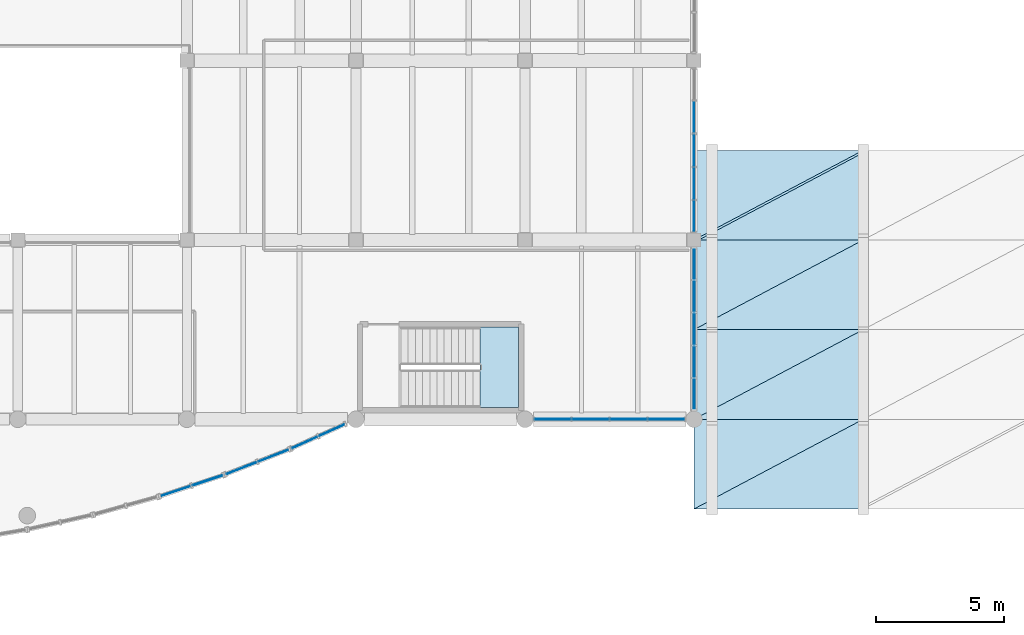
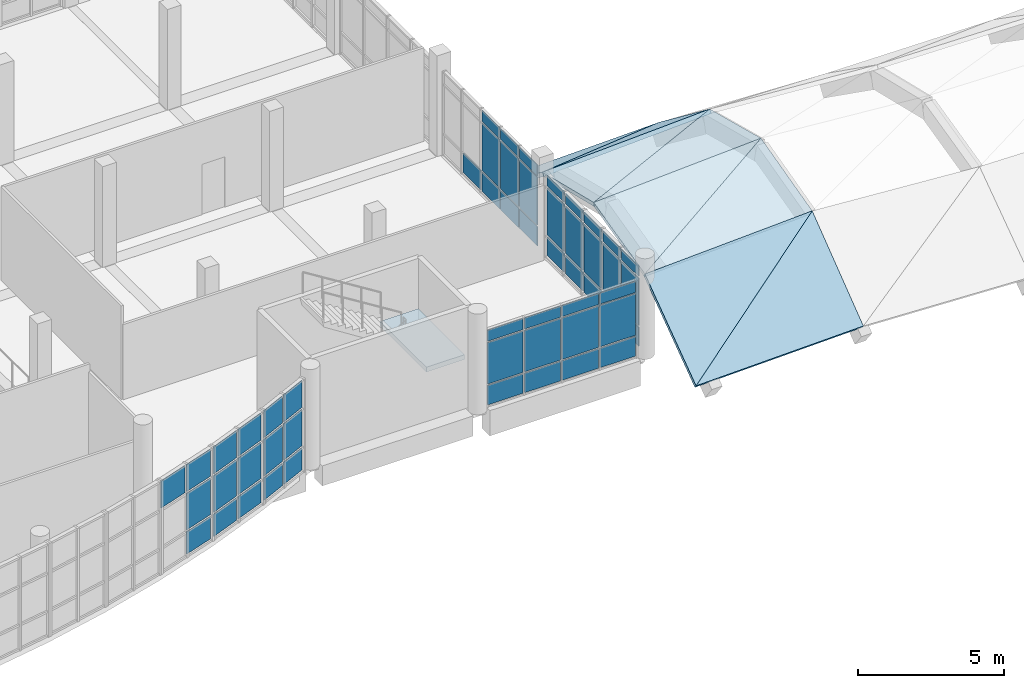
# One storey, part 38 of 65: 53 plates, 9 slabs, 8 elements without a shape of their own.
"""IFC4 building model written with IfcOpenShell, lengths in metres."""

from ifc_helpers import new_model, si_unit, direction, frame, origin, origin_2d, place, context, subcontext, project, spatial, polyline, rectangle, outline, extrude, material, layer, layer_set, type_object, element, aggregate, save


model = new_model("IFC4")

# Units and contexts
model_context = context("Model", 3, precision=1e-05, world=origin(), true_north=direction((0.0, 1.0)))
body_context = subcontext(model_context, "Body", "Model", "MODEL_VIEW")
ifc_project = project(units=[si_unit("LENGTHUNIT", "METRE"), si_unit("AREAUNIT", "SQUARE_METRE"), si_unit("VOLUMEUNIT", "CUBIC_METRE"), si_unit("PLANEANGLEUNIT", "RADIAN"), si_unit("MASSUNIT", "GRAM", prefix="KILO")], contexts=[model_context])

# Site, building, storey
site_placement = place(None, origin())
site = spatial("IfcSite", under=ifc_project, at=site_placement, CompositionType="ELEMENT")
building_placement = place(site_placement, origin())
building = spatial("IfcBuilding", under=site, at=building_placement, Name="Ciguamira Faculty of Natural Sciences", CompositionType="ELEMENT")
storey_placement = place(building_placement, frame((0.0, 0.0, 12.60009765625)))
storey = spatial("IfcBuildingStorey", under=building, at=storey_placement, Name="L03", CompositionType="ELEMENT", Elevation=12.60009765625)

# Curtain wall, plates
ifc_material_1 = material(Name="Anodized aluminium curtain wall", Category="aluminium")
curtain_wall_type_1 = type_object("IfcCurtainWallType", Name="CurtainWall_CW-07", PredefinedType="USERDEFINED", material=ifc_material_1)
curtain_wall_1_placement = place(storey_placement, origin())
curtain_wall_1 = element("IfcCurtainWall", 1, at=curtain_wall_1_placement, inside=storey, type_object=curtain_wall_type_1, Name="L03 unitised curtain wall 0103", ObjectType="UNITISED CURTAIN WALL", PredefinedType="USERDEFINED")
ifc_material_2 = material(Name="Low-E laminated solar glass", Category="glass")
ifc_layer_1 = layer(ifc_material_2, 0.028076171875, Name="Low-E laminated solar glass")
ifc_layer_set_1 = layer_set([ifc_layer_1], Name="Low-E laminated solar glass")
plate_type_1 = type_object("IfcPlateType", Name="CWPanel_CWP-01", PredefinedType="CURTAIN_PANEL", material=ifc_layer_set_1)
plate_1_placement = place(storey_placement, frame((123.300048828125, 17.93505859375, 0.059814453125), z_axis=(0.0, 0.0, 1.0), x_axis=(0.0, 1.0, 0.0)))
plate_1 = element("IfcPlate", 2, at=plate_1_placement, type_object=plate_type_1, Name="CW-07 panel 1.1", PredefinedType="CURTAIN_PANEL", context=body_context, shape_type="SweptSolid", body=[
    extrude(rectangle(XDim=1.199951171875, YDim=0.028076171875, at=origin_2d()), origin(), (0.0, 0.0, 1.0), 0.81005859375),
])
plate_2_placement = place(storey_placement, frame((123.300048828125, 17.93505859375, 0.929931640625), z_axis=(0.0, 0.0, 1.0), x_axis=(0.0, 1.0, 0.0)))
plate_2 = element("IfcPlate", 3, at=plate_2_placement, type_object=plate_type_1, Name="CW-07 panel 1.2", PredefinedType="CURTAIN_PANEL", context=body_context, shape_type="SweptSolid", body=[
    extrude(rectangle(XDim=1.199951171875, YDim=0.028076171875, at=origin_2d()), origin(), (0.0, 0.0, 1.0), 1.9951171875),
])
plate_3_placement = place(storey_placement, frame((123.300048828125, 17.93505859375, 2.98486328125), z_axis=(0.0, 0.0, 1.0), x_axis=(0.0, 1.0, 0.0)))
plate_3 = element("IfcPlate", 4, at=plate_3_placement, type_object=plate_type_1, Name="CW-07 panel 1.3", PredefinedType="CURTAIN_PANEL", context=body_context, shape_type="SweptSolid", body=[
    extrude(rectangle(XDim=1.199951171875, YDim=0.028076171875, at=origin_2d()), origin(), (0.0, 0.0, 1.0), 0.4599609375),
])
plate_4_placement = place(storey_placement, frame((123.300048828125, 19.2099609375, 0.059814453125), z_axis=(0.0, 0.0, 1.0), x_axis=(0.0, 1.0, 0.0)))
plate_4 = element("IfcPlate", 5, at=plate_4_placement, type_object=plate_type_1, Name="CW-07 panel 2.1", PredefinedType="CURTAIN_PANEL", context=body_context, shape_type="SweptSolid", body=[
    extrude(rectangle(XDim=1.22998046875, YDim=0.028076171875, at=origin_2d()), origin(), (0.0, 0.0, 1.0), 0.81005859375),
])
plate_5_placement = place(storey_placement, frame((123.300048828125, 19.2099609375, 0.929931640625), z_axis=(0.0, 0.0, 1.0), x_axis=(0.0, 1.0, 0.0)))
plate_5 = element("IfcPlate", 6, at=plate_5_placement, type_object=plate_type_1, Name="CW-07 panel 2.2", PredefinedType="CURTAIN_PANEL", context=body_context, shape_type="SweptSolid", body=[
    extrude(rectangle(XDim=1.22998046875, YDim=0.028076171875, at=origin_2d()), origin(), (0.0, 0.0, 1.0), 1.9951171875),
])
plate_6_placement = place(storey_placement, frame((123.300048828125, 19.2099609375, 2.98486328125), z_axis=(0.0, 0.0, 1.0), x_axis=(0.0, 1.0, 0.0)))
plate_6 = element("IfcPlate", 7, at=plate_6_placement, type_object=plate_type_1, Name="CW-07 panel 2.3", PredefinedType="CURTAIN_PANEL", context=body_context, shape_type="SweptSolid", body=[
    extrude(rectangle(XDim=1.22998046875, YDim=0.028076171875, at=origin_2d()), origin(), (0.0, 0.0, 1.0), 0.4599609375),
])
plate_7_placement = place(storey_placement, frame((123.300048828125, 20.5, 0.059814453125), z_axis=(0.0, 0.0, 1.0), x_axis=(0.0, 1.0, 0.0)))
plate_7 = element("IfcPlate", 8, at=plate_7_placement, type_object=plate_type_1, Name="CW-07 panel 3.1", PredefinedType="CURTAIN_PANEL", context=body_context, shape_type="SweptSolid", body=[
    extrude(rectangle(XDim=1.22998046875, YDim=0.028076171875, at=origin_2d()), origin(), (0.0, 0.0, 1.0), 0.81005859375),
])
plate_8_placement = place(storey_placement, frame((123.300048828125, 20.5, 0.929931640625), z_axis=(0.0, 0.0, 1.0), x_axis=(0.0, 1.0, 0.0)))
plate_8 = element("IfcPlate", 9, at=plate_8_placement, type_object=plate_type_1, Name="CW-07 panel 3.2", PredefinedType="CURTAIN_PANEL", context=body_context, shape_type="SweptSolid", body=[
    extrude(rectangle(XDim=1.22998046875, YDim=0.028076171875, at=origin_2d()), origin(), (0.0, 0.0, 1.0), 1.9951171875),
])
plate_9_placement = place(storey_placement, frame((123.300048828125, 20.5, 2.98486328125), z_axis=(0.0, 0.0, 1.0), x_axis=(0.0, 1.0, 0.0)))
plate_9 = element("IfcPlate", 10, at=plate_9_placement, type_object=plate_type_1, Name="CW-07 panel 3.3", PredefinedType="CURTAIN_PANEL", context=body_context, shape_type="SweptSolid", body=[
    extrude(rectangle(XDim=1.22998046875, YDim=0.028076171875, at=origin_2d()), origin(), (0.0, 0.0, 1.0), 0.4599609375),
])
plate_10_placement = place(storey_placement, frame((123.300048828125, 21.7900390625, 0.059814453125), z_axis=(0.0, 0.0, 1.0), x_axis=(0.0, 1.0, 0.0)))
plate_10 = element("IfcPlate", 11, at=plate_10_placement, type_object=plate_type_1, Name="CW-07 panel 4.1", PredefinedType="CURTAIN_PANEL", context=body_context, shape_type="SweptSolid", body=[
    extrude(rectangle(XDim=1.22998046875, YDim=0.028076171875, at=origin_2d()), origin(), (0.0, 0.0, 1.0), 0.81005859375),
])
aggregate(curtain_wall_1, [plate_1, plate_2, plate_3, plate_4, plate_5, plate_6, plate_7, plate_8, plate_9, plate_10])

curtain_wall_type_2 = type_object("IfcCurtainWallType", Name="CurtainWall_CW-03", PredefinedType="USERDEFINED", material=ifc_material_1)
curtain_wall_2_placement = place(storey_placement, origin())
curtain_wall_2 = element("IfcCurtainWall", 12, at=curtain_wall_2_placement, inside=storey, type_object=curtain_wall_type_2, Name="L03 south gallery curved curtain wall 16", ObjectType="UNITISED CURTAIN WALL", PredefinedType="USERDEFINED")
plate_11_placement = place(storey_placement, frame((103.060546875, 7.194580078125, 2.68994140625), z_axis=(0.0, 0.0, 1.0), x_axis=(0.948735033862, 0.316072516242, 0.0)))
plate_11 = element("IfcPlate", 13, at=plate_11_placement, type_object=plate_type_1, Name="CW-03 panel 1.3", PredefinedType="CURTAIN_PANEL", context=body_context, shape_type="SweptSolid", body=[
    extrude(rectangle(XDim=1.232666015625, YDim=0.028076171875, at=origin_2d()), origin(), (0.0, 0.0, 1.0), 1.1298828125),
])
plate_12_placement = place(storey_placement, frame((104.30615234375, 7.609619140625, 0.080078125), z_axis=(0.0, 0.0, 1.0), x_axis=(0.948735033862, 0.316072516242, 0.0)))
plate_12 = element("IfcPlate", 14, at=plate_12_placement, type_object=plate_type_1, Name="CW-03 panel 2.1", PredefinedType="CURTAIN_PANEL", context=body_context, shape_type="SweptSolid", body=[
    extrude(rectangle(XDim=1.232666015625, YDim=0.028076171875, at=origin_2d()), origin(), (0.0, 0.0, 1.0), 0.929931640625),
])
plate_13_placement = place(storey_placement, frame((104.30615234375, 7.609619140625, 1.08984375), z_axis=(0.0, 0.0, 1.0), x_axis=(0.948735033862, 0.316072516242, 0.0)))
plate_13 = element("IfcPlate", 15, at=plate_13_placement, type_object=plate_type_1, Name="CW-03 panel 2.2", PredefinedType="CURTAIN_PANEL", context=body_context, shape_type="SweptSolid", body=[
    extrude(rectangle(XDim=1.232666015625, YDim=0.028076171875, at=origin_2d()), origin(), (0.0, 0.0, 1.0), 1.52001953125),
])
plate_14_placement = place(storey_placement, frame((104.30615234375, 7.609619140625, 2.68994140625), z_axis=(0.0, 0.0, 1.0), x_axis=(0.948735033862, 0.316072516242, 0.0)))
plate_14 = element("IfcPlate", 16, at=plate_14_placement, type_object=plate_type_1, Name="CW-03 panel 2.3", PredefinedType="CURTAIN_PANEL", context=body_context, shape_type="SweptSolid", body=[
    extrude(rectangle(XDim=1.232666015625, YDim=0.028076171875, at=origin_2d()), origin(), (0.0, 0.0, 1.0), 1.1298828125),
])
aggregate(curtain_wall_2, [plate_11, plate_12, plate_13, plate_14])

curtain_wall_type_3 = type_object("IfcCurtainWallType", Name="CurtainWall_CW-04", PredefinedType="USERDEFINED", material=ifc_material_1)
curtain_wall_3_placement = place(storey_placement, origin())
curtain_wall_3 = element("IfcCurtainWall", 17, at=curtain_wall_3_placement, inside=storey, type_object=curtain_wall_type_3, Name="L03 south gallery curved curtain wall 17", ObjectType="UNITISED CURTAIN WALL", PredefinedType="USERDEFINED")
plate_15_placement = place(storey_placement, frame((105.626953125, 8.088134765625, 0.080078125), z_axis=(0.0, 0.0, 1.0), x_axis=(0.931122296337, 0.36470710065, 0.0)))
plate_15 = element("IfcPlate", 18, at=plate_15_placement, type_object=plate_type_1, Name="CW-04 panel 1.1", PredefinedType="CURTAIN_PANEL", context=body_context, shape_type="SweptSolid", body=[
    extrude(rectangle(XDim=1.25830078125, YDim=0.028076171875, at=origin_2d()), origin(), (0.0, 0.0, 1.0), 0.929931640625),
])
plate_16_placement = place(storey_placement, frame((105.626953125, 8.088134765625, 1.08984375), z_axis=(0.0, 0.0, 1.0), x_axis=(0.931122296337, 0.36470710065, 0.0)))
plate_16 = element("IfcPlate", 19, at=plate_16_placement, type_object=plate_type_1, Name="CW-04 panel 1.2", PredefinedType="CURTAIN_PANEL", context=body_context, shape_type="SweptSolid", body=[
    extrude(rectangle(XDim=1.25830078125, YDim=0.028076171875, at=origin_2d()), origin(), (0.0, 0.0, 1.0), 1.52001953125),
])
plate_17_placement = place(storey_placement, frame((105.626953125, 8.088134765625, 2.68994140625), z_axis=(0.0, 0.0, 1.0), x_axis=(0.931122296337, 0.36470710065, 0.0)))
plate_17 = element("IfcPlate", 20, at=plate_17_placement, type_object=plate_type_1, Name="CW-04 panel 1.3", PredefinedType="CURTAIN_PANEL", context=body_context, shape_type="SweptSolid", body=[
    extrude(rectangle(XDim=1.25830078125, YDim=0.028076171875, at=origin_2d()), origin(), (0.0, 0.0, 1.0), 1.1298828125),
])
plate_18_placement = place(storey_placement, frame((106.873046875, 8.576171875, 0.080078125), z_axis=(0.0, 0.0, 1.0), x_axis=(0.931122296337, 0.36470710065, 0.0)))
plate_18 = element("IfcPlate", 21, at=plate_18_placement, type_object=plate_type_1, Name="CW-04 panel 2.1", PredefinedType="CURTAIN_PANEL", context=body_context, shape_type="SweptSolid", body=[
    extrude(rectangle(XDim=1.25830078125, YDim=0.028076171875, at=origin_2d()), origin(), (0.0, 0.0, 1.0), 0.929931640625),
])
plate_19_placement = place(storey_placement, frame((106.873046875, 8.576171875, 1.08984375), z_axis=(0.0, 0.0, 1.0), x_axis=(0.931122296337, 0.36470710065, 0.0)))
plate_19 = element("IfcPlate", 22, at=plate_19_placement, type_object=plate_type_1, Name="CW-04 panel 2.2", PredefinedType="CURTAIN_PANEL", context=body_context, shape_type="SweptSolid", body=[
    extrude(rectangle(XDim=1.25830078125, YDim=0.028076171875, at=origin_2d()), origin(), (0.0, 0.0, 1.0), 1.52001953125),
])
plate_20_placement = place(storey_placement, frame((106.873046875, 8.576171875, 2.68994140625), z_axis=(0.0, 0.0, 1.0), x_axis=(0.931122296337, 0.36470710065, 0.0)))
plate_20 = element("IfcPlate", 23, at=plate_20_placement, type_object=plate_type_1, Name="CW-04 panel 2.3", PredefinedType="CURTAIN_PANEL", context=body_context, shape_type="SweptSolid", body=[
    extrude(rectangle(XDim=1.25830078125, YDim=0.028076171875, at=origin_2d()), origin(), (0.0, 0.0, 1.0), 1.1298828125),
])
aggregate(curtain_wall_3, [plate_15, plate_16, plate_17, plate_18, plate_19, plate_20])

curtain_wall_type_4 = type_object("IfcCurtainWallType", Name="CurtainWall_CW-05", PredefinedType="USERDEFINED", material=ifc_material_1)
curtain_wall_4_placement = place(storey_placement, origin())
curtain_wall_4 = element("IfcCurtainWall", 24, at=curtain_wall_4_placement, inside=storey, type_object=curtain_wall_type_4, Name="L03 south gallery curved curtain wall 18", ObjectType="UNITISED CURTAIN WALL", PredefinedType="USERDEFINED")
plate_21_placement = place(storey_placement, frame((108.09765625, 9.091064453125, 0.080078125), z_axis=(0.0, 0.0, 1.0), x_axis=(0.910580503774, 0.41333176281, 0.0)))
plate_21 = element("IfcPlate", 25, at=plate_21_placement, type_object=plate_type_1, Name="CW-05 panel 1.1", PredefinedType="CURTAIN_PANEL", context=body_context, shape_type="SweptSolid", body=[
    extrude(rectangle(XDim=1.079345703125, YDim=0.028076171875, at=origin_2d()), origin(), (0.0, 0.0, 1.0), 0.929931640625),
])
plate_22_placement = place(storey_placement, frame((108.09765625, 9.091064453125, 1.08984375), z_axis=(0.0, 0.0, 1.0), x_axis=(0.910580503774, 0.41333176281, 0.0)))
plate_22 = element("IfcPlate", 26, at=plate_22_placement, type_object=plate_type_1, Name="CW-05 panel 1.2", PredefinedType="CURTAIN_PANEL", context=body_context, shape_type="SweptSolid", body=[
    extrude(rectangle(XDim=1.079345703125, YDim=0.028076171875, at=origin_2d()), origin(), (0.0, 0.0, 1.0), 1.52001953125),
])
plate_23_placement = place(storey_placement, frame((108.09765625, 9.091064453125, 2.68994140625), z_axis=(0.0, 0.0, 1.0), x_axis=(0.910580503774, 0.41333176281, 0.0)))
plate_23 = element("IfcPlate", 27, at=plate_23_placement, type_object=plate_type_1, Name="CW-05 panel 1.3", PredefinedType="CURTAIN_PANEL", context=body_context, shape_type="SweptSolid", body=[
    extrude(rectangle(XDim=1.079345703125, YDim=0.028076171875, at=origin_2d()), origin(), (0.0, 0.0, 1.0), 1.1298828125),
])
plate_24_placement = place(storey_placement, frame((109.1533203125, 9.5703125, 0.080078125), z_axis=(0.0, 0.0, 1.0), x_axis=(0.910580503774, 0.41333176281, 0.0)))
plate_24 = element("IfcPlate", 28, at=plate_24_placement, type_object=plate_type_1, Name="CW-05 panel 2.1", PredefinedType="CURTAIN_PANEL", context=body_context, shape_type="SweptSolid", body=[
    extrude(rectangle(XDim=1.079345703125, YDim=0.028076171875, at=origin_2d()), origin(), (0.0, 0.0, 1.0), 0.929931640625),
])
plate_25_placement = place(storey_placement, frame((109.1533203125, 9.5703125, 1.08984375), z_axis=(0.0, 0.0, 1.0), x_axis=(0.910580503774, 0.41333176281, 0.0)))
plate_25 = element("IfcPlate", 29, at=plate_25_placement, type_object=plate_type_1, Name="CW-05 panel 2.2", PredefinedType="CURTAIN_PANEL", context=body_context, shape_type="SweptSolid", body=[
    extrude(rectangle(XDim=1.079345703125, YDim=0.028076171875, at=origin_2d()), origin(), (0.0, 0.0, 1.0), 1.52001953125),
])
plate_26_placement = place(storey_placement, frame((109.1533203125, 9.5703125, 2.68994140625), z_axis=(0.0, 0.0, 1.0), x_axis=(0.910580503774, 0.41333176281, 0.0)))
plate_26 = element("IfcPlate", 30, at=plate_26_placement, type_object=plate_type_1, Name="CW-05 panel 2.3", PredefinedType="CURTAIN_PANEL", context=body_context, shape_type="SweptSolid", body=[
    extrude(rectangle(XDim=1.079345703125, YDim=0.028076171875, at=origin_2d()), origin(), (0.0, 0.0, 1.0), 1.1298828125),
])
aggregate(curtain_wall_4, [plate_21, plate_22, plate_23, plate_24, plate_25, plate_26])

curtain_wall_type_5 = type_object("IfcCurtainWallType", Name="CurtainWall_CW-10", PredefinedType="USERDEFINED", material=ifc_material_1)
curtain_wall_5_placement = place(storey_placement, origin())
curtain_wall_5 = element("IfcCurtainWall", 31, at=curtain_wall_5_placement, inside=storey, type_object=curtain_wall_type_5, Name="L03 unitised curtain wall 0082", ObjectType="UNITISED CURTAIN WALL", PredefinedType="USERDEFINED")
ifc_layer_2 = layer(ifc_material_2, 0.035888671875, Name="Low-E laminated solar glass")
ifc_layer_set_2 = layer_set([ifc_layer_2], Name="Low-E laminated solar glass")
plate_type_2 = type_object("IfcPlateType", Name="CWPanel_CWP-02", PredefinedType="CURTAIN_PANEL", material=ifc_layer_set_2)
plate_27_placement = place(storey_placement, frame((117.78369140625, 10.0, 0.059814453125), z_axis=(0.0, 0.0, 1.0), x_axis=(1.0, 0.0, 0.0)))
plate_27 = element("IfcPlate", 32, at=plate_27_placement, type_object=plate_type_2, Name="CW-10 panel 1.1", PredefinedType="CURTAIN_PANEL", context=body_context, shape_type="SweptSolid", body=[
    extrude(rectangle(XDim=1.3974609375, YDim=0.035888671875, at=origin_2d()), origin(), (0.0, 0.0, 1.0), 0.81005859375),
])
plate_28_placement = place(storey_placement, frame((117.78369140625, 10.0, 0.929931640625), z_axis=(0.0, 0.0, 1.0), x_axis=(1.0, 0.0, 0.0)))
plate_28 = element("IfcPlate", 33, at=plate_28_placement, type_object=plate_type_2, Name="CW-10 panel 1.2", PredefinedType="CURTAIN_PANEL", context=body_context, shape_type="SweptSolid", body=[
    extrude(rectangle(XDim=1.3974609375, YDim=0.035888671875, at=origin_2d()), origin(), (0.0, 0.0, 1.0), 1.72509765625),
])
plate_29_placement = place(storey_placement, frame((117.78369140625, 10.0, 2.71484375), z_axis=(0.0, 0.0, 1.0), x_axis=(1.0, 0.0, 0.0)))
plate_29 = element("IfcPlate", 34, at=plate_29_placement, type_object=plate_type_2, Name="CW-10 panel 1.3", PredefinedType="CURTAIN_PANEL", context=body_context, shape_type="SweptSolid", body=[
    extrude(rectangle(XDim=1.3974609375, YDim=0.035888671875, at=origin_2d()), origin(), (0.0, 0.0, 1.0), 0.4599609375),
])
plate_30_placement = place(storey_placement, frame((119.25634765625, 10.0, 0.059814453125), z_axis=(0.0, 0.0, 1.0), x_axis=(1.0, 0.0, 0.0)))
plate_30 = element("IfcPlate", 35, at=plate_30_placement, type_object=plate_type_2, Name="CW-10 panel 2.1", PredefinedType="CURTAIN_PANEL", context=body_context, shape_type="SweptSolid", body=[
    extrude(rectangle(XDim=1.427490234375, YDim=0.035888671875, at=origin_2d()), origin(), (0.0, 0.0, 1.0), 0.81005859375),
])
plate_31_placement = place(storey_placement, frame((119.25634765625, 10.0, 0.929931640625), z_axis=(0.0, 0.0, 1.0), x_axis=(1.0, 0.0, 0.0)))
plate_31 = element("IfcPlate", 36, at=plate_31_placement, type_object=plate_type_2, Name="CW-10 panel 2.2", PredefinedType="CURTAIN_PANEL", context=body_context, shape_type="SweptSolid", body=[
    extrude(rectangle(XDim=1.427490234375, YDim=0.035888671875, at=origin_2d()), origin(), (0.0, 0.0, 1.0), 1.72509765625),
])
plate_32_placement = place(storey_placement, frame((119.25634765625, 10.0, 2.71484375), z_axis=(0.0, 0.0, 1.0), x_axis=(1.0, 0.0, 0.0)))
plate_32 = element("IfcPlate", 37, at=plate_32_placement, type_object=plate_type_2, Name="CW-10 panel 2.3", PredefinedType="CURTAIN_PANEL", context=body_context, shape_type="SweptSolid", body=[
    extrude(rectangle(XDim=1.427490234375, YDim=0.035888671875, at=origin_2d()), origin(), (0.0, 0.0, 1.0), 0.4599609375),
])
plate_33_placement = place(storey_placement, frame((120.74365234375, 10.0, 0.059814453125), z_axis=(0.0, 0.0, 1.0), x_axis=(1.0, 0.0, 0.0)))
plate_33 = element("IfcPlate", 38, at=plate_33_placement, type_object=plate_type_2, Name="CW-10 panel 3.1", PredefinedType="CURTAIN_PANEL", context=body_context, shape_type="SweptSolid", body=[
    extrude(rectangle(XDim=1.427490234375, YDim=0.035888671875, at=origin_2d()), origin(), (0.0, 0.0, 1.0), 0.81005859375),
])
plate_34_placement = place(storey_placement, frame((120.74365234375, 10.0, 0.929931640625), z_axis=(0.0, 0.0, 1.0), x_axis=(1.0, 0.0, 0.0)))
plate_34 = element("IfcPlate", 39, at=plate_34_placement, type_object=plate_type_2, Name="CW-10 panel 3.2", PredefinedType="CURTAIN_PANEL", context=body_context, shape_type="SweptSolid", body=[
    extrude(rectangle(XDim=1.427490234375, YDim=0.035888671875, at=origin_2d()), origin(), (0.0, 0.0, 1.0), 1.72509765625),
])
plate_35_placement = place(storey_placement, frame((120.74365234375, 10.0, 2.71484375), z_axis=(0.0, 0.0, 1.0), x_axis=(1.0, 0.0, 0.0)))
plate_35 = element("IfcPlate", 40, at=plate_35_placement, type_object=plate_type_2, Name="CW-10 panel 3.3", PredefinedType="CURTAIN_PANEL", context=body_context, shape_type="SweptSolid", body=[
    extrude(rectangle(XDim=1.427490234375, YDim=0.035888671875, at=origin_2d()), origin(), (0.0, 0.0, 1.0), 0.4599609375),
])
plate_36_placement = place(storey_placement, frame((122.21630859375, 10.0, 0.059814453125), z_axis=(0.0, 0.0, 1.0), x_axis=(1.0, 0.0, 0.0)))
plate_36 = element("IfcPlate", 41, at=plate_36_placement, type_object=plate_type_2, Name="CW-10 panel 4.1", PredefinedType="CURTAIN_PANEL", context=body_context, shape_type="SweptSolid", body=[
    extrude(rectangle(XDim=1.3974609375, YDim=0.035888671875, at=origin_2d()), origin(), (0.0, 0.0, 1.0), 0.81005859375),
])
plate_37_placement = place(storey_placement, frame((122.21630859375, 10.0, 0.929931640625), z_axis=(0.0, 0.0, 1.0), x_axis=(1.0, 0.0, 0.0)))
plate_37 = element("IfcPlate", 42, at=plate_37_placement, type_object=plate_type_2, Name="CW-10 panel 4.2", PredefinedType="CURTAIN_PANEL", context=body_context, shape_type="SweptSolid", body=[
    extrude(rectangle(XDim=1.3974609375, YDim=0.035888671875, at=origin_2d()), origin(), (0.0, 0.0, 1.0), 1.72509765625),
])
plate_38_placement = place(storey_placement, frame((122.21630859375, 10.0, 2.71484375), z_axis=(0.0, 0.0, 1.0), x_axis=(1.0, 0.0, 0.0)))
plate_38 = element("IfcPlate", 43, at=plate_38_placement, type_object=plate_type_2, Name="CW-10 panel 4.3", PredefinedType="CURTAIN_PANEL", context=body_context, shape_type="SweptSolid", body=[
    extrude(rectangle(XDim=1.3974609375, YDim=0.035888671875, at=origin_2d()), origin(), (0.0, 0.0, 1.0), 0.4599609375),
])
aggregate(curtain_wall_5, [plate_27, plate_28, plate_29, plate_30, plate_31, plate_32, plate_33, plate_34, plate_35, plate_36, plate_37, plate_38])

curtain_wall_type_6 = type_object("IfcCurtainWallType", Name="CurtainWall_CW-06", PredefinedType="USERDEFINED", material=ifc_material_1)
curtain_wall_6_placement = place(storey_placement, origin())
curtain_wall_6 = element("IfcCurtainWall", 44, at=curtain_wall_6_placement, inside=storey, type_object=curtain_wall_type_6, Name="L03 unitised curtain wall 0102", ObjectType="UNITISED CURTAIN WALL", PredefinedType="USERDEFINED")
plate_39_placement = place(storey_placement, frame((123.300048828125, 10.985107421875, 0.080078125), z_axis=(0.0, 0.0, 1.0), x_axis=(0.0, 1.0, 0.0)))
plate_39 = element("IfcPlate", 45, at=plate_39_placement, type_object=plate_type_2, Name="CW-06 panel 1.1", PredefinedType="CURTAIN_PANEL", context=body_context, shape_type="SweptSolid", body=[
    extrude(rectangle(XDim=1.159912109375, YDim=0.035888671875, at=origin_2d()), origin(), (0.0, 0.0, 1.0), 0.780029296875),
])
plate_40_placement = place(storey_placement, frame((123.300048828125, 10.985107421875, 0.93994140625), z_axis=(0.0, 0.0, 1.0), x_axis=(0.0, 1.0, 0.0)))
plate_40 = element("IfcPlate", 46, at=plate_40_placement, type_object=plate_type_2, Name="CW-06 panel 1.2", PredefinedType="CURTAIN_PANEL", context=body_context, shape_type="SweptSolid", body=[
    extrude(rectangle(XDim=1.159912109375, YDim=0.035888671875, at=origin_2d()), origin(), (0.0, 0.0, 1.0), 1.97509765625),
])
plate_41_placement = place(storey_placement, frame((123.300048828125, 10.985107421875, 2.9951171875), z_axis=(0.0, 0.0, 1.0), x_axis=(0.0, 1.0, 0.0)))
plate_41 = element("IfcPlate", 47, at=plate_41_placement, type_object=plate_type_2, Name="CW-06 panel 1.3", PredefinedType="CURTAIN_PANEL", context=body_context, shape_type="SweptSolid", body=[
    extrude(rectangle(XDim=1.159912109375, YDim=0.035888671875, at=origin_2d()), origin(), (0.0, 0.0, 1.0), 0.429931640625),
])
plate_42_placement = place(storey_placement, frame((123.300048828125, 12.2451171875, 0.080078125), z_axis=(0.0, 0.0, 1.0), x_axis=(0.0, 1.0, 0.0)))
plate_42 = element("IfcPlate", 48, at=plate_42_placement, type_object=plate_type_2, Name="CW-06 panel 2.1", PredefinedType="CURTAIN_PANEL", context=body_context, shape_type="SweptSolid", body=[
    extrude(rectangle(XDim=1.199951171875, YDim=0.035888671875, at=origin_2d()), origin(), (0.0, 0.0, 1.0), 0.780029296875),
])
plate_43_placement = place(storey_placement, frame((123.300048828125, 12.2451171875, 0.93994140625), z_axis=(0.0, 0.0, 1.0), x_axis=(0.0, 1.0, 0.0)))
plate_43 = element("IfcPlate", 49, at=plate_43_placement, type_object=plate_type_2, Name="CW-06 panel 2.2", PredefinedType="CURTAIN_PANEL", context=body_context, shape_type="SweptSolid", body=[
    extrude(rectangle(XDim=1.199951171875, YDim=0.035888671875, at=origin_2d()), origin(), (0.0, 0.0, 1.0), 1.97509765625),
])
plate_44_placement = place(storey_placement, frame((123.300048828125, 12.2451171875, 2.9951171875), z_axis=(0.0, 0.0, 1.0), x_axis=(0.0, 1.0, 0.0)))
plate_44 = element("IfcPlate", 50, at=plate_44_placement, type_object=plate_type_2, Name="CW-06 panel 2.3", PredefinedType="CURTAIN_PANEL", context=body_context, shape_type="SweptSolid", body=[
    extrude(rectangle(XDim=1.199951171875, YDim=0.035888671875, at=origin_2d()), origin(), (0.0, 0.0, 1.0), 0.429931640625),
])
plate_45_placement = place(storey_placement, frame((123.300048828125, 13.52490234375, 0.080078125), z_axis=(0.0, 0.0, 1.0), x_axis=(0.0, 1.0, 0.0)))
plate_45 = element("IfcPlate", 51, at=plate_45_placement, type_object=plate_type_2, Name="CW-06 panel 3.1", PredefinedType="CURTAIN_PANEL", context=body_context, shape_type="SweptSolid", body=[
    extrude(rectangle(XDim=1.199951171875, YDim=0.035888671875, at=origin_2d()), origin(), (0.0, 0.0, 1.0), 0.780029296875),
])
plate_46_placement = place(storey_placement, frame((123.300048828125, 13.52490234375, 0.93994140625), z_axis=(0.0, 0.0, 1.0), x_axis=(0.0, 1.0, 0.0)))
plate_46 = element("IfcPlate", 52, at=plate_46_placement, type_object=plate_type_2, Name="CW-06 panel 3.2", PredefinedType="CURTAIN_PANEL", context=body_context, shape_type="SweptSolid", body=[
    extrude(rectangle(XDim=1.199951171875, YDim=0.035888671875, at=origin_2d()), origin(), (0.0, 0.0, 1.0), 1.97509765625),
])
plate_47_placement = place(storey_placement, frame((123.300048828125, 13.52490234375, 2.9951171875), z_axis=(0.0, 0.0, 1.0), x_axis=(0.0, 1.0, 0.0)))
plate_47 = element("IfcPlate", 53, at=plate_47_placement, type_object=plate_type_2, Name="CW-06 panel 3.3", PredefinedType="CURTAIN_PANEL", context=body_context, shape_type="SweptSolid", body=[
    extrude(rectangle(XDim=1.199951171875, YDim=0.035888671875, at=origin_2d()), origin(), (0.0, 0.0, 1.0), 0.429931640625),
])
plate_48_placement = place(storey_placement, frame((123.300048828125, 14.804931640625, 0.080078125), z_axis=(0.0, 0.0, 1.0), x_axis=(0.0, 1.0, 0.0)))
plate_48 = element("IfcPlate", 54, at=plate_48_placement, type_object=plate_type_2, Name="CW-06 panel 4.1", PredefinedType="CURTAIN_PANEL", context=body_context, shape_type="SweptSolid", body=[
    extrude(rectangle(XDim=1.199951171875, YDim=0.035888671875, at=origin_2d()), origin(), (0.0, 0.0, 1.0), 0.780029296875),
])
plate_49_placement = place(storey_placement, frame((123.300048828125, 14.804931640625, 0.93994140625), z_axis=(0.0, 0.0, 1.0), x_axis=(0.0, 1.0, 0.0)))
plate_49 = element("IfcPlate", 55, at=plate_49_placement, type_object=plate_type_2, Name="CW-06 panel 4.2", PredefinedType="CURTAIN_PANEL", context=body_context, shape_type="SweptSolid", body=[
    extrude(rectangle(XDim=1.199951171875, YDim=0.035888671875, at=origin_2d()), origin(), (0.0, 0.0, 1.0), 1.97509765625),
])
plate_50_placement = place(storey_placement, frame((123.300048828125, 14.804931640625, 2.9951171875), z_axis=(0.0, 0.0, 1.0), x_axis=(0.0, 1.0, 0.0)))
plate_50 = element("IfcPlate", 56, at=plate_50_placement, type_object=plate_type_2, Name="CW-06 panel 4.3", PredefinedType="CURTAIN_PANEL", context=body_context, shape_type="SweptSolid", body=[
    extrude(rectangle(XDim=1.199951171875, YDim=0.035888671875, at=origin_2d()), origin(), (0.0, 0.0, 1.0), 0.429931640625),
])
plate_51_placement = place(storey_placement, frame((123.300048828125, 16.06494140625, 0.080078125), z_axis=(0.0, 0.0, 1.0), x_axis=(0.0, 1.0, 0.0)))
plate_51 = element("IfcPlate", 57, at=plate_51_placement, type_object=plate_type_2, Name="CW-06 panel 5.1", PredefinedType="CURTAIN_PANEL", context=body_context, shape_type="SweptSolid", body=[
    extrude(rectangle(XDim=1.159912109375, YDim=0.035888671875, at=origin_2d()), origin(), (0.0, 0.0, 1.0), 0.780029296875),
])
plate_52_placement = place(storey_placement, frame((123.300048828125, 16.06494140625, 0.93994140625), z_axis=(0.0, 0.0, 1.0), x_axis=(0.0, 1.0, 0.0)))
plate_52 = element("IfcPlate", 58, at=plate_52_placement, type_object=plate_type_2, Name="CW-06 panel 5.2", PredefinedType="CURTAIN_PANEL", context=body_context, shape_type="SweptSolid", body=[
    extrude(rectangle(XDim=1.159912109375, YDim=0.035888671875, at=origin_2d()), origin(), (0.0, 0.0, 1.0), 1.97509765625),
])
plate_53_placement = place(storey_placement, frame((123.300048828125, 16.06494140625, 2.9951171875), z_axis=(0.0, 0.0, 1.0), x_axis=(0.0, 1.0, 0.0)))
plate_53 = element("IfcPlate", 59, at=plate_53_placement, type_object=plate_type_2, Name="CW-06 panel 5.3", PredefinedType="CURTAIN_PANEL", context=body_context, shape_type="SweptSolid", body=[
    extrude(rectangle(XDim=1.159912109375, YDim=0.035888671875, at=origin_2d()), origin(), (0.0, 0.0, 1.0), 0.429931640625),
])
aggregate(curtain_wall_6, [plate_39, plate_40, plate_41, plate_42, plate_43, plate_44, plate_45, plate_46, plate_47, plate_48, plate_49, plate_50, plate_51, plate_52, plate_53])

# Roof, slabs
ifc_material_3 = material(Name="Concrete C40/50", Category="concrete")
roof_type = type_object("IfcRoofType", Name="RoofSys_RF-SHL", PredefinedType="FREEFORM", material=ifc_material_3)
roof_placement = place(storey_placement, origin())
roof = element("IfcRoof", 60, at=roof_placement, inside=storey, type_object=roof_type, Name="Lecture Theatres Thin Concrete Shell Upper Crown", PredefinedType="FREEFORM")
ifc_layer_3 = layer(ifc_material_3, 0.159912109375, Name="Concrete C40/50")
ifc_layer_set_3 = layer_set([ifc_layer_3], Name="Concrete C40/50")
slab_type_1 = type_object("IfcSlabType", Name="Slab_SR-02_160", PredefinedType="ROOF", material=ifc_layer_set_3)
slab_1_placement = place(storey_placement, frame((123.300048828125, 6.5, 0.794677734375), z_axis=(-0.022251502597, -0.60807402346, 0.793568429706), x_axis=(0.999607116376, 0.0, 0.028028786824)))
slab_1 = element("IfcSlab", 61, at=slab_1_placement, type_object=slab_type_1, Name="V1 thin concrete shell facet 01-02-T1", PredefinedType="ROOF", context=body_context, shape_type="SweptSolid", body=[
    extrude(outline(polyline([(0.0, 0.0), (6.602447509130868, -1.3877787807814457e-17), (6.677617485513072, 4.408724914387624), (0.0, 0.0)])), origin(), (0.0, 0.0, -1.0), 0.159912109375),
])
slab_2_placement = place(storey_placement, frame((123.300048828125, 6.5, 0.794677734375), z_axis=(-0.03927643772, -0.587821742394, 0.808036484702), x_axis=(0.824804951054, 0.437406273011, 0.358291145645)))
slab_2 = element("IfcSlab", 62, at=slab_2_placement, type_object=slab_type_1, Name="V1 thin concrete shell facet 01-02-T2", PredefinedType="ROOF", context=body_context, shape_type="SweptSolid", body=[
    extrude(outline(polyline([(0.0, 0.0), (8.001714232186256, 0.0), (2.4431822968309116, 3.5726324037875843), (0.0, 0.0)])), origin(), (0.0, 0.0, -1.0), 0.159912109375),
])
slab_3_placement = place(storey_placement, frame((123.300048828125, 10.0, 3.3408203125), z_axis=(-0.046995496389, -0.25101720923, 0.966841136894), x_axis=(0.998820756452, 0.0, 0.048549938001)))
slab_3 = element("IfcSlab", 63, at=slab_3_placement, type_object=slab_type_1, Name="V1 thin concrete shell facet 01-03-T1", PredefinedType="ROOF", context=body_context, shape_type="SweptSolid", body=[
    extrude(outline(polyline([(0.0, 0.0), (6.607645538991803, 0.0), (6.651762450427195, 3.6157673832698367), (0.0, 0.0)])), origin(), (0.0, 0.0, -1.0), 0.159912109375),
])
slab_4_placement = place(storey_placement, frame((123.300048828125, 10.0, 3.3408203125), z_axis=(-0.054417987358, -0.238035873865, 0.969730687049), x_axis=(0.871730569486, 0.462291622985, 0.162395411088)))
slab_4 = element("IfcSlab", 64, at=slab_4_placement, type_object=slab_type_1, Name="V1 thin concrete shell facet 01-03-T2", PredefinedType="ROOF", context=body_context, shape_type="SweptSolid", body=[
    extrude(outline(polyline([(0.0, 0.0), (7.57097863336248, 1.1102230246251565e-16), (1.7575395895328307, 3.146293124417239), (0.0, 0.0)])), origin(), (0.0, 0.0, -1.0), 0.159912109375),
])
slab_5_placement = place(storey_placement, frame((123.300048828125, 13.5, 4.199951171875), z_axis=(-0.054235904373, 0.250924996305, 0.96648596105), x_axis=(0.998429172716, 0.0, 0.056028448748)))
slab_5 = element("IfcSlab", 65, at=slab_5_placement, type_object=slab_type_1, Name="V1 thin concrete shell facet 01-04-T1", PredefinedType="ROOF", context=body_context, shape_type="SweptSolid", body=[
    extrude(outline(polyline([(0.0, 0.0), (6.610237056345119, 1.3877787807814457e-17), (6.559324486462096, 3.615678080529364), (0.0, 0.0)])), origin(), (0.0, 0.0, -1.0), 0.159912109375),
])
slab_6_placement = place(storey_placement, frame((123.300048828125, 13.5, 4.199951171875), z_axis=(-0.04715338815, 0.238123938811, 0.970089453479), x_axis=(0.881172889956, 0.46729902528, -0.071874605939)))
slab_6 = element("IfcSlab", 66, at=slab_6_placement, type_object=slab_type_1, Name="V1 thin concrete shell facet 01-04-T2", PredefinedType="ROOF", context=body_context, shape_type="SweptSolid", body=[
    extrude(outline(polyline([(0.0, 0.0), (7.489850846360143, 0.0), (1.6972962804492777, 3.1791966233473943), (0.0, 0.0)])), origin(), (0.0, 0.0, -1.0), 0.159912109375),
])
slab_7_placement = place(storey_placement, frame((123.300048828125, 17.0, 3.3408203125), z_axis=(-0.038554052504, 0.607772411848, 0.793174810765), x_axis=(0.998820756452, 0.0, 0.048549938001)))
slab_7 = element("IfcSlab", 67, at=slab_7_placement, type_object=slab_type_1, Name="V1 thin concrete shell facet 01-05-T1", PredefinedType="ROOF", context=body_context, shape_type="SweptSolid", body=[
    extrude(outline(polyline([(0.0, 0.0), (6.607645538991803, -2.7755575615628914e-17), (6.477440199895142, 4.407442848836748), (0.0, 0.0)])), origin(), (0.0, 0.0, -1.0), 0.159912109375),
])
slab_8_placement = place(storey_placement, frame((123.300048828125, 17.0, 3.3408203125), z_axis=(-0.022668853434, 0.588124495819, 0.80845265817), x_axis=(0.842385738116, 0.446729624593, -0.301361760564)))
slab_8 = element("IfcSlab", 68, at=slab_8_placement, type_object=slab_type_1, Name="V1 thin concrete shell facet 01-05-T2", PredefinedType="ROOF", context=body_context, shape_type="SweptSolid", body=[
    extrude(outline(polyline([(0.0, 0.0), (7.834716587661599, 2.220446049250313e-16), (2.3308636960659617, 3.6469050520273694), (0.0, 0.0)])), origin(), (0.0, 0.0, -1.0), 0.159912109375),
])
aggregate(roof, [slab_1, slab_2, slab_3, slab_4, slab_5, slab_6, slab_7, slab_8])

# Stair, slab
stair_type = type_object("IfcStairType", Name="Stair_STR-02", PredefinedType="HALF_TURN_STAIR", material=ifc_material_3)
stair_placement = place(storey_placement, origin())
stair = element("IfcStair", 69, at=stair_placement, inside=storey, type_object=stair_type, Name="L03 Atrium East Exit Stair", PredefinedType="HALF_TURN_STAIR")
ifc_layer_4 = layer(ifc_material_3, 0.199951171875, Name="Concrete C40/50")
ifc_layer_set_4 = layer_set([ifc_layer_4], Name="Concrete C40/50")
slab_type_2 = type_object("IfcSlabType", Name="StairLanding_SLD01", PredefinedType="LANDING", material=ifc_layer_set_4)
slab_9_placement = place(storey_placement, frame((0.0, 0.0, 1.89990234375)))
slab_9 = element("IfcSlab", 70, at=slab_9_placement, type_object=slab_type_2, Name="ST-A2 landing 1", PredefinedType="LANDING", context=body_context, shape_type="SweptSolid", body=[
    extrude(outline(polyline([(114.93994140625, 10.449951171875), (116.449951171875, 10.449951171875), (116.449951171875, 13.610107421875), (114.93994140625, 13.610107421875), (114.93994140625, 10.449951171875)])), origin(), (0.0, 0.0, 1.0), 0.199951171875),
])
aggregate(stair, [slab_9])

save(model, "model.ifc")
